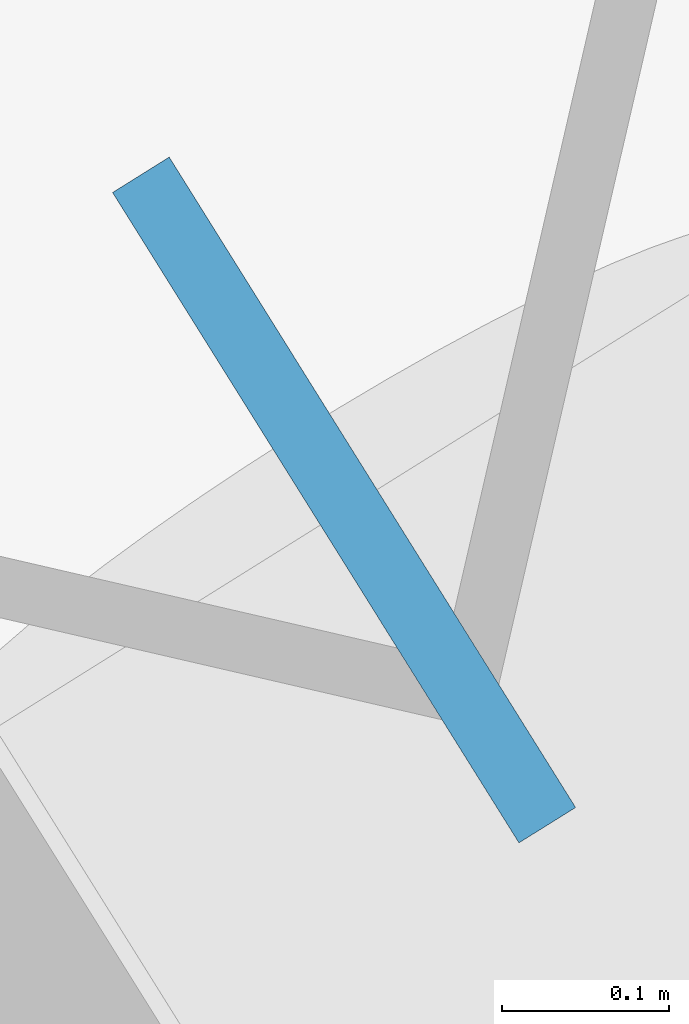
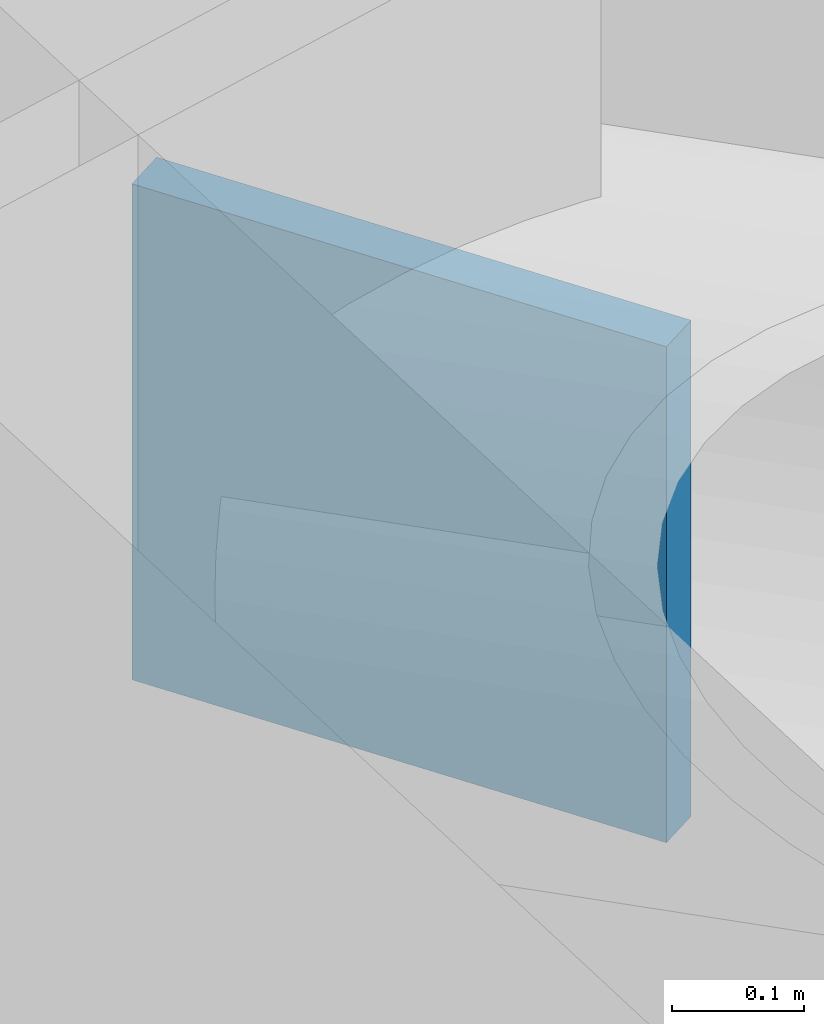
# One storey, part 19 of 21: 1 discrete accessory.
"""IFC4 building model written with IfcOpenShell, lengths in metres."""

import ifcopenshell
import ifcopenshell.guid

model = None  # the IFC model being written
_history = None  # IfcOwnerHistory: only IFC2X3 demands one
_inside = {}  # id of a spatial element -> (the spatial element, [elements in it])
_under = {}  # id of a project, library or spatial element -> (it, [spatial elements below it])
_declared = {}  # id of a project -> (the project, [libraries it declares])
_typed = {}  # id of a type object -> (the type object, [elements of that type])
_made_of = {}  # id of a material, layer set ... -> (it, [elements and type objects made of it])


def new_model(schema):
    """Start an empty IFC model of exactly this schema.

    Asked for "IFC4X3", IfcOpenShell would pick the latest addendum, in which some entities
    have other attributes; the version numbers below select the first issue.
    IFC2X3 requires an IfcOwnerHistory on every rooted entity: one is made here for all.
    """
    global model, _history
    if schema == "IFC4X3":
        model = ifcopenshell.file(schema_version=(4, 3, 0, 0))
    else:
        model = ifcopenshell.file(schema=schema)
    _inside.clear()
    _under.clear()
    _declared.clear()
    _typed.clear()
    _made_of.clear()
    _history = None
    if model.schema == "IFC2X3":
        org = make("IfcOrganization", Name="unknown")
        user = make(
            "IfcPersonAndOrganization",
            ThePerson=make("IfcPerson", FamilyName="unknown"),
            TheOrganization=org,
        )
        app = make(
            "IfcApplication",
            ApplicationDeveloper=org,
            Version="unknown",
            ApplicationFullName="unknown",
            ApplicationIdentifier="unknown",
        )
        _history = make(
            "IfcOwnerHistory",
            OwningUser=user,
            OwningApplication=app,
            ChangeAction="ADDED",
            CreationDate=0,
        )
    return model


def make(cls, **values):
    """One entity of the class cls with the attributes given. An attribute that is None is left unset."""
    return model.create_entity(
        cls, **{name: value for name, value in values.items() if value is not None}
    )


def rooted(cls, **values):
    """An entity with a GlobalId (a new one), such as an element, a storey or a relation."""
    return make(cls, GlobalId=ifcopenshell.guid.new(), OwnerHistory=_history, **values)


def si_unit(unit_type, name, prefix=None):
    """IfcSIUnit, for example si_unit("LENGTHUNIT", "METRE", prefix="MILLI")."""
    return make("IfcSIUnit", UnitType=unit_type, Prefix=prefix, Name=name)


def assignment(units):
    """IfcUnitAssignment: the units of a project."""
    return None if units is None else make("IfcUnitAssignment", Units=units)


def point(xyz):
    """IfcCartesianPoint."""
    return None if xyz is None else make("IfcCartesianPoint", Coordinates=xyz)


def direction(xyz):
    """IfcDirection."""
    return None if xyz is None else make("IfcDirection", DirectionRatios=xyz)


def frame(location, z_axis=None, x_axis=None):
    """IfcAxis2Placement3D, a coordinate frame: its origin and axes. An axis left out is left unset."""
    return make(
        "IfcAxis2Placement3D",
        Location=point(location),
        Axis=direction(z_axis),
        RefDirection=direction(x_axis),
    )


def frame_2d(location, x_axis=None):
    """IfcAxis2Placement2D, a coordinate frame in the plane: its origin and x axis."""
    return make(
        "IfcAxis2Placement2D", Location=point(location), RefDirection=direction(x_axis)
    )


def origin():
    """The frame at (0, 0, 0) with its axes left unset."""
    return frame((0.0, 0.0, 0.0))


def origin_2d():
    """The frame at (0, 0) in the plane with its x axis left unset."""
    return frame_2d((0.0, 0.0))


def place(relative_to, where):
    """IfcLocalPlacement: puts the frame where relative to a parent placement (None: the world)."""
    return make(
        "IfcLocalPlacement", PlacementRelTo=relative_to, RelativePlacement=where
    )


def context(
    kind, dimensions, precision=None, world=None, true_north=None, identifier=None
):
    """IfcGeometricRepresentationContext, for example the 3D "Model" context."""
    return make(
        "IfcGeometricRepresentationContext",
        ContextIdentifier=identifier,
        ContextType=kind,
        CoordinateSpaceDimension=dimensions,
        Precision=precision,
        WorldCoordinateSystem=world,
        TrueNorth=true_north,
    )


def subcontext(parent, identifier, kind, view, scale=None):
    """IfcGeometricRepresentationSubContext, for example "Body" below "Model"."""
    return make(
        "IfcGeometricRepresentationSubContext",
        ContextIdentifier=identifier,
        ContextType=kind,
        ParentContext=parent,
        TargetScale=scale,
        TargetView=view,
    )


def project(units=None, contexts=None):
    """IfcProject with its units and contexts."""
    return rooted(
        "IfcProject",
        Name="project",
        RepresentationContexts=contexts,
        UnitsInContext=assignment(units),
    )


def spatial(cls, under=None, at=None, **own):
    """A site, building, storey or space (cls), placed at a placement, below another one or the project."""
    s = rooted(cls, ObjectPlacement=at, **own)
    if under is not None:
        _under.setdefault(under.id(), (under, []))[1].append(s)
    return s


def profile(cls, at=None, kind="AREA", **sizes):
    """A parametric profile (cls). Its sizes go by their IFC names, for example OverallWidth=200.0."""
    return make(cls, ProfileType=kind, Position=at, **sizes)


def rectangle(**sizes):
    """IfcRectangleProfileDef."""
    return profile("IfcRectangleProfileDef", **sizes)


def extrude(swept, where, along, depth):
    """IfcExtrudedAreaSolid: the profile swept, set in the frame where, extruded along a direction by depth."""
    return make(
        "IfcExtrudedAreaSolid",
        SweptArea=swept,
        Position=where,
        ExtrudedDirection=direction(along),
        Depth=depth,
    )


def shape(context_of_items, identifier, shape_type, items):
    """IfcShapeRepresentation: the items that make up one representation, for example the "Body"."""
    return make(
        "IfcShapeRepresentation",
        ContextOfItems=context_of_items,
        RepresentationIdentifier=identifier,
        RepresentationType=shape_type,
        Items=items,
    )


def material(Name=None, Category=None):
    """IfcMaterial."""
    return make("IfcMaterial", Name=Name, Category=Category)


def made_of(thing, what):
    """Note that an element or type object is made of a material, layer set ...; save() writes the relation."""
    if what is not None:
        _made_of.setdefault(what.id(), (what, []))[1].append(thing)
    return thing


def type_object(cls, material=None, **own):
    """A type object (cls), such as IfcWallType, which elements share."""
    return made_of(rooted(cls, **own), material)


def element(
    cls,
    number,
    at=None,
    inside=None,
    cuts=None,
    type_object=None,
    material=None,
    context=None,
    identifier="Body",
    shape_type=None,
    held_by="IfcProductDefinitionShape",
    body=None,
    shapes=None,
    **own,
):
    """One element of the class cls, such as IfcWall. Its Tag is "e" and its number.

    at: its placement. inside: the storey or other place that contains it. cuts: it is an
    opening in that element (IfcRelVoidsElement). A single representation is given by context,
    identifier, shape_type and body (its items); several are given by shapes. held_by: the class
    of the entity that holds the representations. save() writes the other relations.
    """
    e = rooted(cls, Tag="e%d" % number, ObjectPlacement=at, **own)
    if body is not None:
        shapes = [shape(context, identifier, shape_type, body)]
    if shapes is not None:
        e.Representation = make(held_by, Representations=shapes)
    if inside is not None:
        _inside.setdefault(inside.id(), (inside, []))[1].append(e)
    if cuts is not None:
        rooted(
            "IfcRelVoidsElement", RelatingBuildingElement=cuts, RelatedOpeningElement=e
        )
    if type_object is not None:
        _typed.setdefault(type_object.id(), (type_object, []))[1].append(e)
    return made_of(e, material)


def aggregate(whole, parts):
    """IfcRelAggregates: a whole, such as a stair, and the parts it consists of."""
    return rooted("IfcRelAggregates", RelatingObject=whole, RelatedObjects=parts)


def save(model, path):
    """Write the relations noted so far, then the file.

    IfcRelAggregates (storeys below a building ...), IfcRelContainedInSpatialStructure (elements
    in a storey), IfcRelDefinesByType, IfcRelAssociatesMaterial and IfcRelDeclares: one each for
    every whole, place, type object, material and project.
    """
    for whole, parts in _under.values():
        aggregate(whole, parts)
    for where, things in _inside.values():
        rooted(
            "IfcRelContainedInSpatialStructure",
            RelatedElements=things,
            RelatingStructure=where,
        )
    for kind, things in _typed.values():
        rooted("IfcRelDefinesByType", RelatedObjects=things, RelatingType=kind)
    for what, things in _made_of.values():
        rooted("IfcRelAssociatesMaterial", RelatedObjects=things, RelatingMaterial=what)
    for by, libraries in _declared.values():
        rooted("IfcRelDeclares", RelatingContext=by, RelatedDefinitions=libraries)
    model.write(path)


model = new_model("IFC4")

# Units and contexts
model_context = context("Model", 3, precision=1e-05, world=origin(), true_north=direction((0.0, 1.0)))
body_context = subcontext(model_context, "Body", "Model", "MODEL_VIEW")
ifc_project = project(units=[si_unit("LENGTHUNIT", "METRE"), si_unit("AREAUNIT", "SQUARE_METRE"), si_unit("VOLUMEUNIT", "CUBIC_METRE"), si_unit("PLANEANGLEUNIT", "RADIAN"), si_unit("MASSUNIT", "GRAM", prefix="KILO")], contexts=[model_context])

# Site, building, storey
site_placement = place(None, origin())
site = spatial("IfcSite", under=ifc_project, at=site_placement, CompositionType="ELEMENT")
building_placement = place(site_placement, origin())
building = spatial("IfcBuilding", under=site, at=building_placement, Name="Tavrogorsk Clinical Tower", CompositionType="ELEMENT")
storey_placement = place(building_placement, frame((0.0, 0.0, 59.39990234375)))
storey = spatial("IfcBuildingStorey", under=building, at=storey_placement, Name="L12", CompositionType="ELEMENT", Elevation=59.39990234375)

# Discrete accessory
ifc_material = material(Name="Structural steel S440", Category="steel")
discrete_accessory_type = type_object("IfcDiscreteAccessoryType", Name="GussetPlateBracket_25", PredefinedType="BRACKET", material=ifc_material)
discrete_accessory_placement = place(storey_placement, frame((36.664794921875, 14.46435546875, 0.13525390625), z_axis=(0.0, 0.0, 1.0), x_axis=(0.529919264233, -0.848048096156, 0.0)))
element("IfcDiscreteAccessory", 1, at=discrete_accessory_placement, inside=storey, type_object=discrete_accessory_type, Name="L12 Brace Gusset Plate EXOCRN-L12-2-A", PredefinedType="BRACKET", context=body_context, shape_type="SweptSolid", body=[
    extrude(rectangle(XDim=0.4599609375, YDim=0.0400390625, at=origin_2d()), origin(), (0.0, 0.0, 1.0), 0.4599609375),
])

save(model, "model.ifc")
